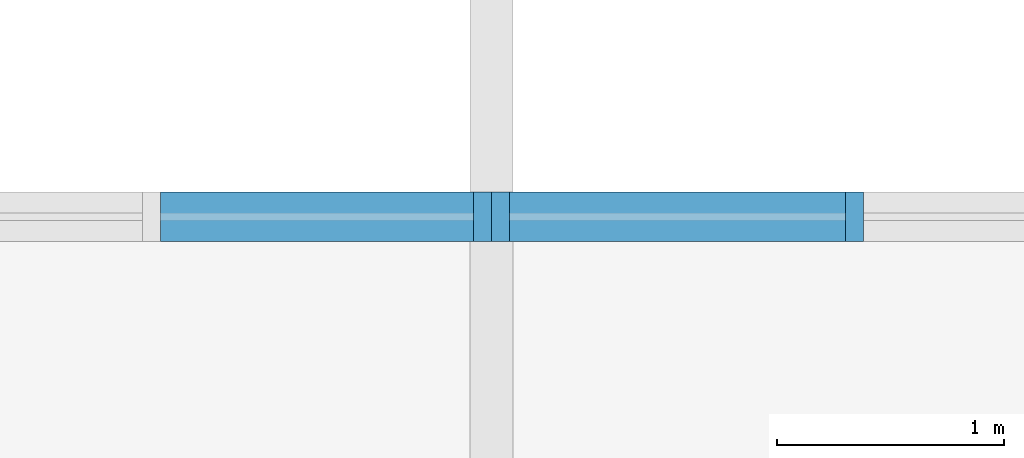
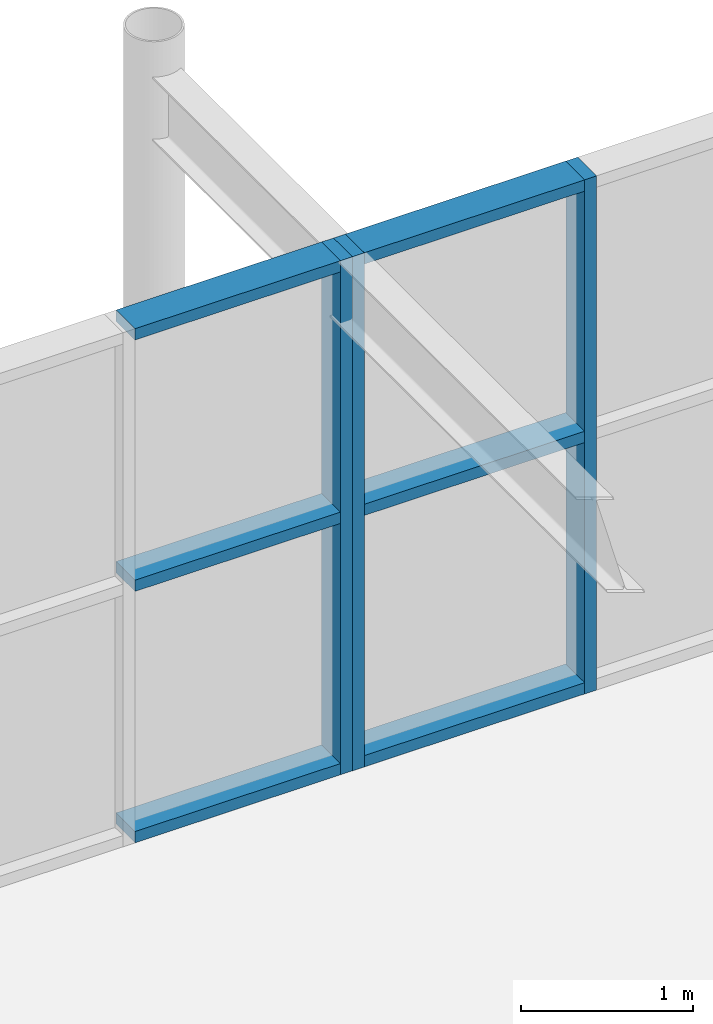
# One storey, part 50 of 98: 9 members, 2 elements without a shape of their own.
"""IFC4 building model written with IfcOpenShell, lengths in metres."""

from ifc_helpers import new_model, si_unit, derived_unit, direction, frame, origin, origin_2d_with_axis, place, context, subcontext, project, spatial, rectangle, extrude, material, material_profile, profile_set, type_object, element, aggregate, save


model = new_model("IFC4")

# Units and contexts
model_context = context("Model", 3, precision=1e-05, world=origin(), true_north=direction((0.0, 1.0)))
body_context = subcontext(model_context, "Body", "Model", "MODEL_VIEW")
ifc_project = project(units=[si_unit("LENGTHUNIT", "METRE"), si_unit("AREAUNIT", "SQUARE_METRE"), si_unit("VOLUMEUNIT", "CUBIC_METRE"), si_unit("PLANEANGLEUNIT", "RADIAN"), si_unit("MASSUNIT", "GRAM", prefix="KILO"), derived_unit("THERMALTRANSMITTANCEUNIT", [(si_unit("POWERUNIT", "WATT"), 1), (si_unit("LENGTHUNIT", "METRE"), -2), (si_unit("THERMODYNAMICTEMPERATUREUNIT", "KELVIN"), -1)])], contexts=[model_context])

# Site, building, storey
site_placement = place(None, origin())
site = spatial("IfcSite", under=ifc_project, at=site_placement, CompositionType="ELEMENT")
building_placement = place(site_placement, origin())
building = spatial("IfcBuilding", under=site, at=building_placement, Name="Cinnabar Yard Market Hall", CompositionType="ELEMENT")
storey_placement = place(building_placement, frame((0.0, 0.0, 4.5)))
storey = spatial("IfcBuildingStorey", under=building, at=storey_placement, Name="L01", CompositionType="ELEMENT", Elevation=4.5)

# Curtain wall, member
ifc_material_1 = material(Name="Anodised bronze aluminium and low-E glass", Category="aluminium")
curtain_wall_type_1 = type_object("IfcCurtainWallType", Name="CW-CWH030x36", PredefinedType="NOTDEFINED", material=ifc_material_1)
curtain_wall_1_placement = place(storey_placement, origin())
curtain_wall_1 = element("IfcCurtainWall", 1, at=curtain_wall_1_placement, inside=storey, type_object=curtain_wall_type_1, Name="Market Hall North Gallery Glazing B5B", PredefinedType="NOTDEFINED")
ifc_material_2 = material(Name="Anodised bronze aluminium", Category="aluminium")
ifc_material_profile_1 = material_profile(ifc_material_2, rectangle(XDim=0.219970703125, YDim=0.080078125, at=origin_2d_with_axis()), Name="MUL-CWH")
ifc_profile_set_1 = profile_set([ifc_material_profile_1], Name="Anodised bronze aluminium")
member_type_1 = type_object("IfcMemberType", Name="CWM-CWH", PredefinedType="MULLION", material=ifc_profile_set_1)
member_1_placement = place(storey_placement, frame((135.9599609375, 71.800048828125, 0.0), z_axis=(0.0, 0.0, 1.0), x_axis=(0.0, -1.0, 0.0)))
member_1 = element("IfcMember", 2, at=member_1_placement, type_object=member_type_1, Name="CWH030x36 mullion 1", PredefinedType="MULLION", context=body_context, shape_type="SweptSolid", body=[
    extrude(rectangle(XDim=0.219970703125, YDim=0.080078125, at=origin_2d_with_axis()), origin(), (0.0, 0.0, 1.0), 3.64990234375),
])

# Curtain wall, members
curtain_wall_type_2 = type_object("IfcCurtainWallType", Name="CW-CWH032x36", PredefinedType="NOTDEFINED", material=ifc_material_1)
curtain_wall_2_placement = place(storey_placement, origin())
curtain_wall_2 = element("IfcCurtainWall", 3, at=curtain_wall_2_placement, inside=storey, type_object=curtain_wall_type_2, Name="Market Hall North Gallery Glazing B6A", PredefinedType="NOTDEFINED")
member_2_placement = place(storey_placement, frame((137.60009765625, 71.800048828125, 0.0), z_axis=(0.0, 0.0, 1.0), x_axis=(0.0, -1.0, 0.0)))
member_2 = element("IfcMember", 4, at=member_2_placement, type_object=member_type_1, Name="CWH032x36 mullion 2", PredefinedType="MULLION", context=body_context, shape_type="SweptSolid", body=[
    extrude(rectangle(XDim=0.219970703125, YDim=0.080078125, at=origin_2d_with_axis()), origin(), (0.0, 0.0, 1.0), 3.64990234375),
])
member_3_placement = place(storey_placement, frame((136.0400390625, 71.800048828125, 0.0), z_axis=(0.0, 0.0, 1.0), x_axis=(0.0, -1.0, 0.0)))
member_3 = element("IfcMember", 5, at=member_3_placement, type_object=member_type_1, Name="CWH032x36 mullion 3", PredefinedType="MULLION", context=body_context, shape_type="SweptSolid", body=[
    extrude(rectangle(XDim=0.219970703125, YDim=0.080078125, at=origin_2d_with_axis()), origin(), (0.0, 0.0, 1.0), 3.64990234375),
])

# Member
ifc_material_profile_2 = material_profile(ifc_material_2, rectangle(XDim=0.219970703125, YDim=0.080078125, at=origin_2d_with_axis()), Name="TRN-CWH")
ifc_profile_set_2 = profile_set([ifc_material_profile_2], Name="Anodised bronze aluminium")
member_type_2 = type_object("IfcMemberType", Name="CWT-CWH", PredefinedType="USERDEFINED", material=ifc_profile_set_2)
member_4_placement = place(storey_placement, frame((135.919921875, 71.800048828125, 0.0400390625), z_axis=(-1.0, 0.0, 0.0), x_axis=(0.0, -1.0, 0.0)))
member_4 = element("IfcMember", 6, at=member_4_placement, type_object=member_type_2, Name="CWH030x36 transom 1.1", ObjectType="TRANSOM", PredefinedType="USERDEFINED", context=body_context, shape_type="SweptSolid", body=[
    extrude(rectangle(XDim=0.219970703125, YDim=0.080078125, at=origin_2d_with_axis()), origin(), (0.0, 0.0, 1.0), 1.3798828125),
])

member_5_placement = place(storey_placement, frame((135.919921875, 71.800048828125, 1.824951171875), z_axis=(-1.0, 0.0, 0.0), x_axis=(0.0, -1.0, 0.0)))
member_5 = element("IfcMember", 7, at=member_5_placement, type_object=member_type_2, Name="CWH030x36 transom 1.2", ObjectType="TRANSOM", PredefinedType="USERDEFINED", context=body_context, shape_type="SweptSolid", body=[
    extrude(rectangle(XDim=0.219970703125, YDim=0.080078125, at=origin_2d_with_axis()), origin(), (0.0, 0.0, 1.0), 1.3798828125),
])

member_6_placement = place(storey_placement, frame((135.919921875, 71.800048828125, 3.610107421875), z_axis=(-1.0, 0.0, 0.0), x_axis=(0.0, -1.0, 0.0)))
member_6 = element("IfcMember", 8, at=member_6_placement, type_object=member_type_2, Name="CWH030x36 transom 1.3", ObjectType="TRANSOM", PredefinedType="USERDEFINED", context=body_context, shape_type="SweptSolid", body=[
    extrude(rectangle(XDim=0.219970703125, YDim=0.080078125, at=origin_2d_with_axis()), origin(), (0.0, 0.0, 1.0), 1.3798828125),
])

aggregate(curtain_wall_1, [member_1, member_4, member_5, member_6])

member_7_placement = place(storey_placement, frame((137.56005859375, 71.800048828125, 0.0400390625), z_axis=(-1.0, 0.0, 0.0), x_axis=(0.0, -1.0, 0.0)))
member_7 = element("IfcMember", 9, at=member_7_placement, type_object=member_type_2, Name="CWH032x36 transom 2.1", ObjectType="TRANSOM", PredefinedType="USERDEFINED", context=body_context, shape_type="SweptSolid", body=[
    extrude(rectangle(XDim=0.219970703125, YDim=0.080078125, at=origin_2d_with_axis()), origin(), (0.0, 0.0, 1.0), 1.47998046875),
])

member_8_placement = place(storey_placement, frame((137.56005859375, 71.800048828125, 1.824951171875), z_axis=(-1.0, 0.0, 0.0), x_axis=(0.0, -1.0, 0.0)))
member_8 = element("IfcMember", 10, at=member_8_placement, type_object=member_type_2, Name="CWH032x36 transom 2.2", ObjectType="TRANSOM", PredefinedType="USERDEFINED", context=body_context, shape_type="SweptSolid", body=[
    extrude(rectangle(XDim=0.219970703125, YDim=0.080078125, at=origin_2d_with_axis()), origin(), (0.0, 0.0, 1.0), 1.47998046875),
])

member_9_placement = place(storey_placement, frame((137.56005859375, 71.800048828125, 3.610107421875), z_axis=(-1.0, 0.0, 0.0), x_axis=(0.0, -1.0, 0.0)))
member_9 = element("IfcMember", 11, at=member_9_placement, type_object=member_type_2, Name="CWH032x36 transom 2.3", ObjectType="TRANSOM", PredefinedType="USERDEFINED", context=body_context, shape_type="SweptSolid", body=[
    extrude(rectangle(XDim=0.219970703125, YDim=0.080078125, at=origin_2d_with_axis()), origin(), (0.0, 0.0, 1.0), 1.47998046875),
])

aggregate(curtain_wall_2, [member_2, member_3, member_7, member_8, member_9])

save(model, "model.ifc")
